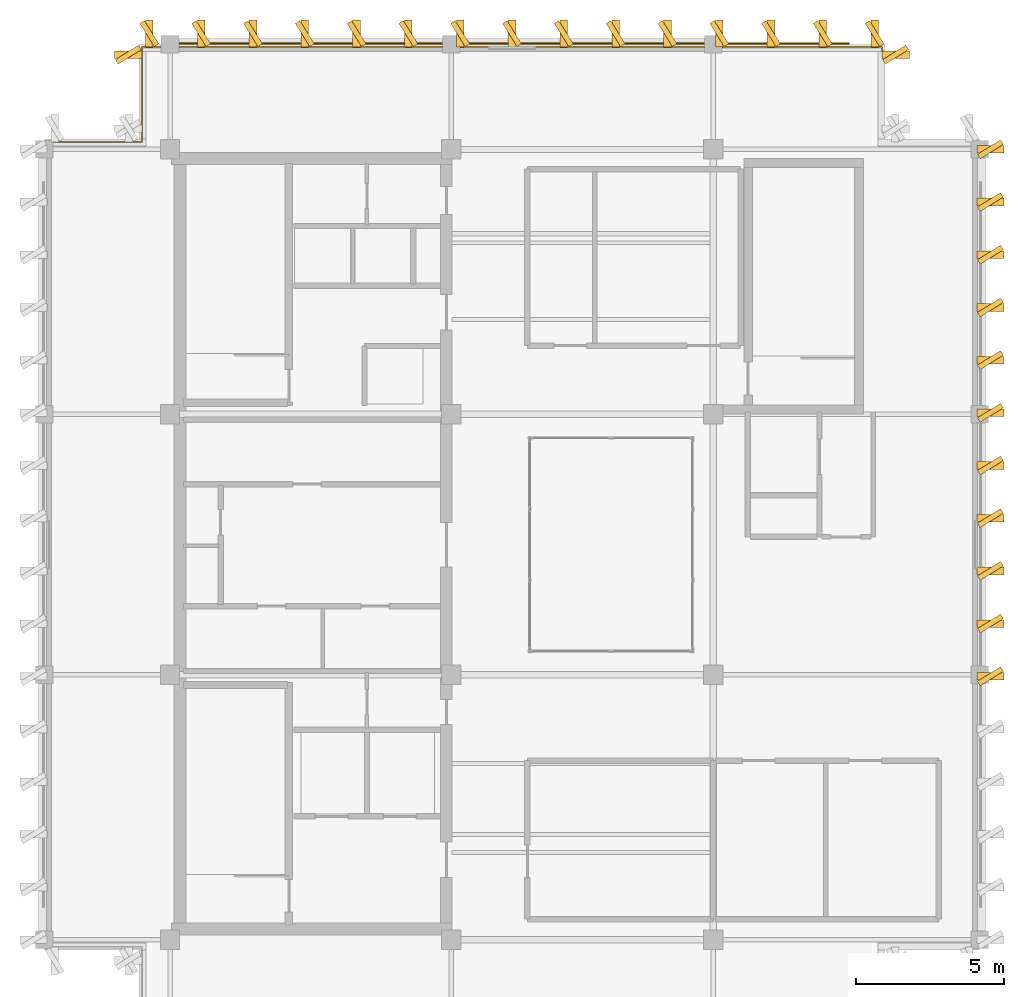
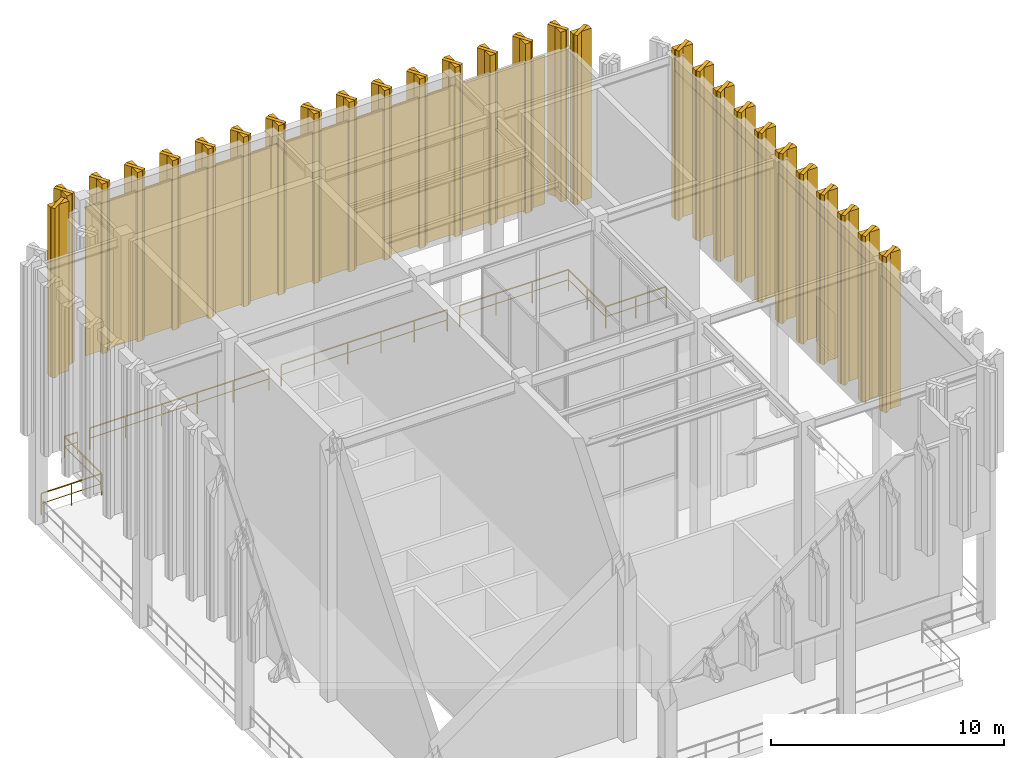
# One storey, part 15 of 15: 29 coverings, 28 shading devices, 4 railings.
"""IFC4 building model written with IfcOpenShell, lengths in metres."""

from ifc_helpers import new_model, si_unit, direction, frame, origin, origin_2d, place, context, subcontext, project, spatial, polyline, rectangle, outline, extrude, material, layer, layer_set, type_object, element, save


model = new_model("IFC4")

# Units and contexts
model_context = context("Model", 3, precision=1e-05, world=origin(), true_north=direction((0.0, 1.0)))
body_context = subcontext(model_context, "Body", "Model", "MODEL_VIEW")
ifc_project = project(units=[si_unit("LENGTHUNIT", "METRE"), si_unit("AREAUNIT", "SQUARE_METRE"), si_unit("VOLUMEUNIT", "CUBIC_METRE"), si_unit("PLANEANGLEUNIT", "RADIAN"), si_unit("MASSUNIT", "GRAM", prefix="KILO")], contexts=[model_context])

# Site, building, storey
site_placement = place(None, origin())
site = spatial("IfcSite", under=ifc_project, at=site_placement, CompositionType="ELEMENT")
building_placement = place(site_placement, origin())
building = spatial("IfcBuilding", under=site, at=building_placement, Name="Kundavana Baori Tower", CompositionType="ELEMENT")
storey_placement = place(building_placement, frame((0.0, 0.0, 354.699951171875)))
storey = spatial("IfcBuildingStorey", under=building, at=storey_placement, Name="L88", CompositionType="ELEMENT", Elevation=354.699951171875)

# Coverings
ifc_material_1 = material(Name="Red-Buff Dholpur Sandstone Cladding on Concrete C40/50", Category="masonry")
ifc_layer_1 = layer(ifc_material_1, 0.050048828125, Name="COV-EXT-CLAD")
ifc_layer_set_1 = layer_set([ifc_layer_1], Name="Red-Buff Dholpur Sandstone Cladding on Concrete C40/50")
covering_type_1 = type_object("IfcCoveringType", Name="COV-EXT-CLAD", PredefinedType="CLADDING", material=ifc_layer_set_1)
covering_1_placement = place(storey_placement, frame((0.0, 0.0, 4.900146484375)))
element("IfcCovering", 1, at=covering_1_placement, inside=storey, type_object=covering_type_1, Name="L88 Crown Carved Dholpur Stone Cladding 07", PredefinedType="CLADDING", context=body_context, shape_type="SweptSolid", body=[
    extrude(outline(polyline([(15.60009765625, 45.5), (38.39990234375, 45.5), (38.39990234375, 45.550048828125), (15.60009765625, 45.550048828125), (15.60009765625, 45.5)])), origin(), (0.0, 0.0, 1.0), 7.7998046875),
])
ifc_material_2 = material(Name="Cream-White Makrana Limestone on Concrete C40/50", Category="masonry")
ifc_layer_2 = layer(ifc_material_2, 0.239990234375, Name="COV-SAIL-FIN")
ifc_layer_set_2 = layer_set([ifc_layer_2], Name="Cream-White Makrana Limestone on Concrete C40/50")
covering_type_2 = type_object("IfcCoveringType", Name="COV-SAIL-FIN", PredefinedType="CLADDING", material=ifc_layer_set_2)
covering_2_placement = place(storey_placement, frame((0.0, 0.0, 5.5185546875)))
element("IfcCovering", 2, at=covering_2_placement, inside=storey, type_object=covering_type_2, Name="L88 Climbing Makrana White Limestone Sail Fin 025", PredefinedType="CLADDING", context=body_context, shape_type="SweptSolid", body=[
    extrude(outline(polyline([(42.699951171875, 24.02001953125), (43.6201171875, 24.02001953125), (43.6201171875, 24.280029296875), (42.699951171875, 24.280029296875), (42.699951171875, 24.02001953125)])), origin(), (0.0, 0.0, 1.0), 8.181396484375),
])
covering_3_placement = place(storey_placement, frame((0.0, 0.0, 4.967529296875)))
element("IfcCovering", 3, at=covering_3_placement, inside=storey, type_object=covering_type_2, Name="L88 Climbing Makrana White Limestone Sail Fin 026", PredefinedType="CLADDING", context=body_context, shape_type="SweptSolid", body=[
    extrude(outline(polyline([(42.699951171875, 25.800048828125), (43.6201171875, 25.800048828125), (43.6201171875, 26.06005859375), (42.699951171875, 26.06005859375), (42.699951171875, 25.800048828125)])), origin(), (0.0, 0.0, 1.0), 8.732421875),
])
covering_4_placement = place(storey_placement, frame((0.0, 0.0, 4.800048828125)))
element("IfcCovering", 4, at=covering_4_placement, inside=storey, type_object=covering_type_2, Name="L88 Climbing Makrana White Limestone Sail Fin 027", PredefinedType="CLADDING", context=body_context, shape_type="SweptSolid", body=[
    extrude(outline(polyline([(42.699951171875, 27.580078125), (43.6201171875, 27.580078125), (43.6201171875, 27.840087890625), (42.699951171875, 27.840087890625), (42.699951171875, 27.580078125)])), origin(), (0.0, 0.0, 1.0), 8.89990234375),
])
covering_5_placement = place(storey_placement, frame((0.0, 0.0, 4.800048828125)))
element("IfcCovering", 5, at=covering_5_placement, inside=storey, type_object=covering_type_2, Name="L88 Climbing Makrana White Limestone Sail Fin 028", PredefinedType="CLADDING", context=body_context, shape_type="SweptSolid", body=[
    extrude(outline(polyline([(42.699951171875, 29.360107421875), (43.6201171875, 29.360107421875), (43.6201171875, 29.6201171875), (42.699951171875, 29.6201171875), (42.699951171875, 29.360107421875)])), origin(), (0.0, 0.0, 1.0), 8.89990234375),
])
covering_6_placement = place(storey_placement, frame((0.0, 0.0, 4.800048828125)))
element("IfcCovering", 6, at=covering_6_placement, inside=storey, type_object=covering_type_2, Name="L88 Climbing Makrana White Limestone Sail Fin 029", PredefinedType="CLADDING", context=body_context, shape_type="SweptSolid", body=[
    extrude(outline(polyline([(42.699951171875, 31.139892578125), (43.6201171875, 31.139892578125), (43.6201171875, 31.39990234375), (42.699951171875, 31.39990234375), (42.699951171875, 31.139892578125)])), origin(), (0.0, 0.0, 1.0), 8.89990234375),
])
covering_7_placement = place(storey_placement, frame((0.0, 0.0, 4.800048828125)))
element("IfcCovering", 7, at=covering_7_placement, inside=storey, type_object=covering_type_2, Name="L88 Climbing Makrana White Limestone Sail Fin 030", PredefinedType="CLADDING", context=body_context, shape_type="SweptSolid", body=[
    extrude(outline(polyline([(42.699951171875, 32.919921875), (43.6201171875, 32.919921875), (43.6201171875, 33.179931640625), (42.699951171875, 33.179931640625), (42.699951171875, 32.919921875)])), origin(), (0.0, 0.0, 1.0), 8.89990234375),
])
covering_8_placement = place(storey_placement, frame((0.0, 0.0, 4.800048828125)))
element("IfcCovering", 8, at=covering_8_placement, inside=storey, type_object=covering_type_2, Name="L88 Climbing Makrana White Limestone Sail Fin 031", PredefinedType="CLADDING", context=body_context, shape_type="SweptSolid", body=[
    extrude(outline(polyline([(42.699951171875, 34.699951171875), (43.6201171875, 34.699951171875), (43.6201171875, 34.9599609375), (42.699951171875, 34.9599609375), (42.699951171875, 34.699951171875)])), origin(), (0.0, 0.0, 1.0), 8.89990234375),
])
covering_9_placement = place(storey_placement, frame((0.0, 0.0, 4.800048828125)))
element("IfcCovering", 9, at=covering_9_placement, inside=storey, type_object=covering_type_2, Name="L88 Climbing Makrana White Limestone Sail Fin 032", PredefinedType="CLADDING", context=body_context, shape_type="SweptSolid", body=[
    extrude(outline(polyline([(42.699951171875, 36.47998046875), (43.6201171875, 36.47998046875), (43.6201171875, 36.739990234375), (42.699951171875, 36.739990234375), (42.699951171875, 36.47998046875)])), origin(), (0.0, 0.0, 1.0), 8.89990234375),
])
covering_10_placement = place(storey_placement, frame((0.0, 0.0, 4.800048828125)))
element("IfcCovering", 10, at=covering_10_placement, inside=storey, type_object=covering_type_2, Name="L88 Climbing Makrana White Limestone Sail Fin 033", PredefinedType="CLADDING", context=body_context, shape_type="SweptSolid", body=[
    extrude(outline(polyline([(42.699951171875, 38.260009765625), (43.6201171875, 38.260009765625), (43.6201171875, 38.52001953125), (42.699951171875, 38.52001953125), (42.699951171875, 38.260009765625)])), origin(), (0.0, 0.0, 1.0), 8.89990234375),
])
covering_11_placement = place(storey_placement, frame((0.0, 0.0, 4.800048828125)))
element("IfcCovering", 11, at=covering_11_placement, inside=storey, type_object=covering_type_2, Name="L88 Climbing Makrana White Limestone Sail Fin 034", PredefinedType="CLADDING", context=body_context, shape_type="SweptSolid", body=[
    extrude(outline(polyline([(42.699951171875, 40.0400390625), (43.6201171875, 40.0400390625), (43.6201171875, 40.300048828125), (42.699951171875, 40.300048828125), (42.699951171875, 40.0400390625)])), origin(), (0.0, 0.0, 1.0), 8.89990234375),
])
covering_12_placement = place(storey_placement, frame((0.0, 0.0, 4.800048828125)))
element("IfcCovering", 12, at=covering_12_placement, inside=storey, type_object=covering_type_2, Name="L88 Climbing Makrana White Limestone Sail Fin 035", PredefinedType="CLADDING", context=body_context, shape_type="SweptSolid", body=[
    extrude(outline(polyline([(42.699951171875, 41.820068359375), (43.6201171875, 41.820068359375), (43.6201171875, 42.080078125), (42.699951171875, 42.080078125), (42.699951171875, 41.820068359375)])), origin(), (0.0, 0.0, 1.0), 8.89990234375),
])
covering_13_placement = place(storey_placement, frame((0.0, 0.0, 4.800048828125)))
element("IfcCovering", 13, at=covering_13_placement, inside=storey, type_object=covering_type_2, Name="L88 Climbing Makrana White Limestone Sail Fin 039", PredefinedType="CLADDING", context=body_context, shape_type="SweptSolid", body=[
    extrude(outline(polyline([(39.5, 45.02001953125), (40.419921875, 45.02001953125), (40.419921875, 45.280029296875), (39.5, 45.280029296875), (39.5, 45.02001953125)])), origin(), (0.0, 0.0, 1.0), 8.89990234375),
])
covering_14_placement = place(storey_placement, frame((0.0, 0.0, 4.800048828125)))
element("IfcCovering", 14, at=covering_14_placement, inside=storey, type_object=covering_type_2, Name="L88 Climbing Makrana White Limestone Sail Fin 040", PredefinedType="CLADDING", context=body_context, shape_type="SweptSolid", body=[
    extrude(outline(polyline([(39.1201171875, 45.39990234375), (39.3798828125, 45.39990234375), (39.3798828125, 46.320068359375), (39.1201171875, 46.320068359375), (39.1201171875, 45.39990234375)])), origin(), (0.0, 0.0, 1.0), 8.89990234375),
])
covering_15_placement = place(storey_placement, frame((0.0, 0.0, 4.800048828125)))
element("IfcCovering", 15, at=covering_15_placement, inside=storey, type_object=covering_type_2, Name="L88 Climbing Makrana White Limestone Sail Fin 041", PredefinedType="CLADDING", context=body_context, shape_type="SweptSolid", body=[
    extrude(outline(polyline([(37.3701171875, 45.39990234375), (37.6298828125, 45.39990234375), (37.6298828125, 46.320068359375), (37.3701171875, 46.320068359375), (37.3701171875, 45.39990234375)])), origin(), (0.0, 0.0, 1.0), 8.89990234375),
])
covering_16_placement = place(storey_placement, frame((0.0, 0.0, 4.800048828125)))
element("IfcCovering", 16, at=covering_16_placement, inside=storey, type_object=covering_type_2, Name="L88 Climbing Makrana White Limestone Sail Fin 042", PredefinedType="CLADDING", context=body_context, shape_type="SweptSolid", body=[
    extrude(outline(polyline([(35.6201171875, 45.39990234375), (35.8798828125, 45.39990234375), (35.8798828125, 46.320068359375), (35.6201171875, 46.320068359375), (35.6201171875, 45.39990234375)])), origin(), (0.0, 0.0, 1.0), 8.89990234375),
])
covering_17_placement = place(storey_placement, frame((0.0, 0.0, 4.800048828125)))
element("IfcCovering", 17, at=covering_17_placement, inside=storey, type_object=covering_type_2, Name="L88 Climbing Makrana White Limestone Sail Fin 043", PredefinedType="CLADDING", context=body_context, shape_type="SweptSolid", body=[
    extrude(outline(polyline([(33.8701171875, 45.39990234375), (34.1298828125, 45.39990234375), (34.1298828125, 46.320068359375), (33.8701171875, 46.320068359375), (33.8701171875, 45.39990234375)])), origin(), (0.0, 0.0, 1.0), 8.89990234375),
])
covering_18_placement = place(storey_placement, frame((0.0, 0.0, 4.800048828125)))
element("IfcCovering", 18, at=covering_18_placement, inside=storey, type_object=covering_type_2, Name="L88 Climbing Makrana White Limestone Sail Fin 044", PredefinedType="CLADDING", context=body_context, shape_type="SweptSolid", body=[
    extrude(outline(polyline([(32.1201171875, 45.39990234375), (32.3798828125, 45.39990234375), (32.3798828125, 46.320068359375), (32.1201171875, 46.320068359375), (32.1201171875, 45.39990234375)])), origin(), (0.0, 0.0, 1.0), 8.89990234375),
])
covering_19_placement = place(storey_placement, frame((0.0, 0.0, 4.800048828125)))
element("IfcCovering", 19, at=covering_19_placement, inside=storey, type_object=covering_type_2, Name="L88 Climbing Makrana White Limestone Sail Fin 045", PredefinedType="CLADDING", context=body_context, shape_type="SweptSolid", body=[
    extrude(outline(polyline([(30.3701171875, 45.39990234375), (30.6298828125, 45.39990234375), (30.6298828125, 46.320068359375), (30.3701171875, 46.320068359375), (30.3701171875, 45.39990234375)])), origin(), (0.0, 0.0, 1.0), 8.89990234375),
])
covering_20_placement = place(storey_placement, frame((0.0, 0.0, 4.800048828125)))
element("IfcCovering", 20, at=covering_20_placement, inside=storey, type_object=covering_type_2, Name="L88 Climbing Makrana White Limestone Sail Fin 046", PredefinedType="CLADDING", context=body_context, shape_type="SweptSolid", body=[
    extrude(outline(polyline([(28.6201171875, 45.39990234375), (28.8798828125, 45.39990234375), (28.8798828125, 46.320068359375), (28.6201171875, 46.320068359375), (28.6201171875, 45.39990234375)])), origin(), (0.0, 0.0, 1.0), 8.89990234375),
])
covering_21_placement = place(storey_placement, frame((0.0, 0.0, 4.800048828125)))
element("IfcCovering", 21, at=covering_21_placement, inside=storey, type_object=covering_type_2, Name="L88 Climbing Makrana White Limestone Sail Fin 047", PredefinedType="CLADDING", context=body_context, shape_type="SweptSolid", body=[
    extrude(outline(polyline([(26.8701171875, 45.39990234375), (27.1298828125, 45.39990234375), (27.1298828125, 46.320068359375), (26.8701171875, 46.320068359375), (26.8701171875, 45.39990234375)])), origin(), (0.0, 0.0, 1.0), 8.89990234375),
])
covering_22_placement = place(storey_placement, frame((0.0, 0.0, 4.800048828125)))
element("IfcCovering", 22, at=covering_22_placement, inside=storey, type_object=covering_type_2, Name="L88 Climbing Makrana White Limestone Sail Fin 048", PredefinedType="CLADDING", context=body_context, shape_type="SweptSolid", body=[
    extrude(outline(polyline([(25.1201171875, 45.39990234375), (25.3798828125, 45.39990234375), (25.3798828125, 46.320068359375), (25.1201171875, 46.320068359375), (25.1201171875, 45.39990234375)])), origin(), (0.0, 0.0, 1.0), 8.89990234375),
])
covering_23_placement = place(storey_placement, frame((0.0, 0.0, 4.800048828125)))
element("IfcCovering", 23, at=covering_23_placement, inside=storey, type_object=covering_type_2, Name="L88 Climbing Makrana White Limestone Sail Fin 049", PredefinedType="CLADDING", context=body_context, shape_type="SweptSolid", body=[
    extrude(outline(polyline([(23.3701171875, 45.39990234375), (23.6298828125, 45.39990234375), (23.6298828125, 46.320068359375), (23.3701171875, 46.320068359375), (23.3701171875, 45.39990234375)])), origin(), (0.0, 0.0, 1.0), 8.89990234375),
])
covering_24_placement = place(storey_placement, frame((0.0, 0.0, 4.800048828125)))
element("IfcCovering", 24, at=covering_24_placement, inside=storey, type_object=covering_type_2, Name="L88 Climbing Makrana White Limestone Sail Fin 050", PredefinedType="CLADDING", context=body_context, shape_type="SweptSolid", body=[
    extrude(outline(polyline([(21.6201171875, 45.39990234375), (21.8798828125, 45.39990234375), (21.8798828125, 46.320068359375), (21.6201171875, 46.320068359375), (21.6201171875, 45.39990234375)])), origin(), (0.0, 0.0, 1.0), 8.89990234375),
])
covering_25_placement = place(storey_placement, frame((0.0, 0.0, 4.800048828125)))
element("IfcCovering", 25, at=covering_25_placement, inside=storey, type_object=covering_type_2, Name="L88 Climbing Makrana White Limestone Sail Fin 051", PredefinedType="CLADDING", context=body_context, shape_type="SweptSolid", body=[
    extrude(outline(polyline([(19.8701171875, 45.39990234375), (20.1298828125, 45.39990234375), (20.1298828125, 46.320068359375), (19.8701171875, 46.320068359375), (19.8701171875, 45.39990234375)])), origin(), (0.0, 0.0, 1.0), 8.89990234375),
])
covering_26_placement = place(storey_placement, frame((0.0, 0.0, 4.800048828125)))
element("IfcCovering", 26, at=covering_26_placement, inside=storey, type_object=covering_type_2, Name="L88 Climbing Makrana White Limestone Sail Fin 052", PredefinedType="CLADDING", context=body_context, shape_type="SweptSolid", body=[
    extrude(outline(polyline([(18.1201171875, 45.39990234375), (18.3798828125, 45.39990234375), (18.3798828125, 46.320068359375), (18.1201171875, 46.320068359375), (18.1201171875, 45.39990234375)])), origin(), (0.0, 0.0, 1.0), 8.89990234375),
])
covering_27_placement = place(storey_placement, frame((0.0, 0.0, 4.800048828125)))
element("IfcCovering", 27, at=covering_27_placement, inside=storey, type_object=covering_type_2, Name="L88 Climbing Makrana White Limestone Sail Fin 053", PredefinedType="CLADDING", context=body_context, shape_type="SweptSolid", body=[
    extrude(outline(polyline([(16.3701171875, 45.39990234375), (16.6298828125, 45.39990234375), (16.6298828125, 46.320068359375), (16.3701171875, 46.320068359375), (16.3701171875, 45.39990234375)])), origin(), (0.0, 0.0, 1.0), 8.89990234375),
])
covering_28_placement = place(storey_placement, frame((0.0, 0.0, 4.800048828125)))
element("IfcCovering", 28, at=covering_28_placement, inside=storey, type_object=covering_type_2, Name="L88 Climbing Makrana White Limestone Sail Fin 054", PredefinedType="CLADDING", context=body_context, shape_type="SweptSolid", body=[
    extrude(outline(polyline([(14.6201171875, 45.39990234375), (14.8798828125, 45.39990234375), (14.8798828125, 46.320068359375), (14.6201171875, 46.320068359375), (14.6201171875, 45.39990234375)])), origin(), (0.0, 0.0, 1.0), 8.89990234375),
])
covering_29_placement = place(storey_placement, frame((0.0, 0.0, 4.800048828125)))
element("IfcCovering", 29, at=covering_29_placement, inside=storey, type_object=covering_type_2, Name="L88 Climbing Makrana White Limestone Sail Fin 055", PredefinedType="CLADDING", context=body_context, shape_type="SweptSolid", body=[
    extrude(outline(polyline([(13.580078125, 45.02001953125), (14.5, 45.02001953125), (14.5, 45.280029296875), (13.580078125, 45.280029296875), (13.580078125, 45.02001953125)])), origin(), (0.0, 0.0, 1.0), 8.89990234375),
])

# Railings
ifc_material_3 = material(Name="Architectural Patinated Bronze Metalwork")
railing_type = type_object("IfcRailingType", Name="RL-BAL-1150", PredefinedType="BALUSTRADE", material=ifc_material_3)
railing_1_placement = place(storey_placement, frame((11.5048828125, 42.199951171875, 0.0)))
element("IfcRailing", 30, at=railing_1_placement, inside=storey, type_object=railing_type, Name="L88 Mechanical Floor Perimeter Guard Rail 05", PredefinedType="BALUSTRADE", context=body_context, shape_type="SweptSolid", body=[
    extrude(rectangle(XDim=0.048095703125, YDim=0.048095703125, at=origin_2d()), frame((0.0, 0.0, 1.1259765625), z_axis=(1.0, 0.0, 0.0), x_axis=(0.0, 1.0, 0.0)), (0.0, 0.0, 1.0), 2.9951171875),
    extrude(rectangle(XDim=0.03125, YDim=0.03125, at=origin_2d()), frame((0.0, 0.0, 0.597900390625), z_axis=(1.0, 0.0, 0.0), x_axis=(0.0, 1.0, 0.0)), (0.0, 0.0, 1.0), 2.9951171875),
    extrude(rectangle(XDim=0.048095703125, YDim=0.048095703125, at=origin_2d()), frame((2.9951171875, 0.0, 1.1259765625), z_axis=(0.0, 1.0, 0.0), x_axis=(-1.0, 0.0, 0.0)), (0.0, 0.0, 1.0), 3.199951171875),
    extrude(rectangle(XDim=0.03125, YDim=0.03125, at=origin_2d()), frame((2.9951171875, 0.0, 0.597900390625), z_axis=(0.0, 1.0, 0.0), x_axis=(-1.0, 0.0, 0.0)), (0.0, 0.0, 1.0), 3.199951171875),
    extrude(rectangle(XDim=0.048095703125, YDim=0.048095703125, at=origin_2d()), frame((2.9951171875, 3.199951171875, 1.1259765625), z_axis=(1.0, 0.0, 0.0), x_axis=(0.0, 1.0, 0.0)), (0.0, 0.0, 1.0), 0.64501953125),
    extrude(rectangle(XDim=0.03125, YDim=0.03125, at=origin_2d()), frame((2.9951171875, 3.199951171875, 0.597900390625), z_axis=(1.0, 0.0, 0.0), x_axis=(0.0, 1.0, 0.0)), (0.0, 0.0, 1.0), 0.64501953125),
    extrude(rectangle(XDim=0.0419921875, YDim=0.0419921875, at=origin_2d()), origin(), (0.0, 0.0, 1.0), 1.101806640625),
    extrude(rectangle(XDim=0.0419921875, YDim=0.0419921875, at=origin_2d()), frame((1.49755859375, 0.0, 0.0)), (0.0, 0.0, 1.0), 1.101806640625),
    extrude(rectangle(XDim=0.0419921875, YDim=0.0419921875, at=origin_2d()), frame((2.9951171875, 0.0, 0.0)), (0.0, 0.0, 1.0), 1.101806640625),
    extrude(rectangle(XDim=0.0419921875, YDim=0.0419921875, at=origin_2d()), frame((2.9951171875, 1.60009765625, 0.0)), (0.0, 0.0, 1.0), 1.101806640625),
    extrude(rectangle(XDim=0.0419921875, YDim=0.0419921875, at=origin_2d()), frame((2.9951171875, 3.199951171875, 0.0)), (0.0, 0.0, 1.0), 1.101806640625),
    extrude(rectangle(XDim=0.0419921875, YDim=0.0419921875, at=origin_2d()), frame((3.64013671875, 3.199951171875, 0.0)), (0.0, 0.0, 1.0), 1.101806640625),
])
railing_2_placement = place(storey_placement, frame((15.7548828125, 45.39990234375, 0.0)))
element("IfcRailing", 31, at=railing_2_placement, inside=storey, type_object=railing_type, Name="L88 Mechanical Floor Perimeter Guard Rail 06", PredefinedType="BALUSTRADE", context=body_context, shape_type="SweptSolid", body=[
    extrude(rectangle(XDim=0.048095703125, YDim=0.048095703125, at=origin_2d()), frame((0.0, 0.0, 1.1259765625), z_axis=(1.0, 0.0, 0.0), x_axis=(0.0, 1.0, 0.0)), (0.0, 0.0, 1.0), 8.89013671875),
    extrude(rectangle(XDim=0.03125, YDim=0.03125, at=origin_2d()), frame((0.0, 0.0, 0.597900390625), z_axis=(1.0, 0.0, 0.0), x_axis=(0.0, 1.0, 0.0)), (0.0, 0.0, 1.0), 8.89013671875),
    extrude(rectangle(XDim=0.0419921875, YDim=0.0419921875, at=origin_2d()), origin(), (0.0, 0.0, 1.0), 1.101806640625),
    extrude(rectangle(XDim=0.0419921875, YDim=0.0419921875, at=origin_2d()), frame((1.778076171875, 0.0, 0.0)), (0.0, 0.0, 1.0), 1.101806640625),
    extrude(rectangle(XDim=0.0419921875, YDim=0.0419921875, at=origin_2d()), frame((3.55615234375, 0.0, 0.0)), (0.0, 0.0, 1.0), 1.101806640625),
    extrude(rectangle(XDim=0.0419921875, YDim=0.0419921875, at=origin_2d()), frame((5.333984375, 0.0, 0.0)), (0.0, 0.0, 1.0), 1.101806640625),
    extrude(rectangle(XDim=0.0419921875, YDim=0.0419921875, at=origin_2d()), frame((7.112060546875, 0.0, 0.0)), (0.0, 0.0, 1.0), 1.101806640625),
    extrude(rectangle(XDim=0.0419921875, YDim=0.0419921875, at=origin_2d()), frame((8.89013671875, 0.0, 0.0)), (0.0, 0.0, 1.0), 1.101806640625),
])
railing_3_placement = place(storey_placement, frame((25.2548828125, 45.39990234375, 0.0)))
element("IfcRailing", 32, at=railing_3_placement, inside=storey, type_object=railing_type, Name="L88 Mechanical Floor Perimeter Guard Rail 07", PredefinedType="BALUSTRADE", context=body_context, shape_type="SweptSolid", body=[
    extrude(rectangle(XDim=0.048095703125, YDim=0.048095703125, at=origin_2d()), frame((0.0, 0.0, 1.1259765625), z_axis=(1.0, 0.0, 0.0), x_axis=(0.0, 1.0, 0.0)), (0.0, 0.0, 1.0), 8.240234375),
    extrude(rectangle(XDim=0.03125, YDim=0.03125, at=origin_2d()), frame((0.0, 0.0, 0.597900390625), z_axis=(1.0, 0.0, 0.0), x_axis=(0.0, 1.0, 0.0)), (0.0, 0.0, 1.0), 8.240234375),
    extrude(rectangle(XDim=0.0419921875, YDim=0.0419921875, at=origin_2d()), origin(), (0.0, 0.0, 1.0), 1.101806640625),
    extrude(rectangle(XDim=0.0419921875, YDim=0.0419921875, at=origin_2d()), frame((1.64794921875, 0.0, 0.0)), (0.0, 0.0, 1.0), 1.101806640625),
    extrude(rectangle(XDim=0.0419921875, YDim=0.0419921875, at=origin_2d()), frame((3.296142578125, 0.0, 0.0)), (0.0, 0.0, 1.0), 1.101806640625),
    extrude(rectangle(XDim=0.0419921875, YDim=0.0419921875, at=origin_2d()), frame((4.944091796875, 0.0, 0.0)), (0.0, 0.0, 1.0), 1.101806640625),
    extrude(rectangle(XDim=0.0419921875, YDim=0.0419921875, at=origin_2d()), frame((6.59228515625, 0.0, 0.0)), (0.0, 0.0, 1.0), 1.101806640625),
    extrude(rectangle(XDim=0.0419921875, YDim=0.0419921875, at=origin_2d()), frame((8.240234375, 0.0, 0.0)), (0.0, 0.0, 1.0), 1.101806640625),
])
railing_4_placement = place(storey_placement, frame((34.10498046875, 45.39990234375, 0.0)))
element("IfcRailing", 33, at=railing_4_placement, inside=storey, type_object=railing_type, Name="L88 Mechanical Floor Perimeter Guard Rail 08", PredefinedType="BALUSTRADE", context=body_context, shape_type="SweptSolid", body=[
    extrude(rectangle(XDim=0.048095703125, YDim=0.048095703125, at=origin_2d()), frame((0.0, 0.0, 1.1259765625), z_axis=(1.0, 0.0, 0.0), x_axis=(0.0, 1.0, 0.0)), (0.0, 0.0, 1.0), 5.39501953125),
    extrude(rectangle(XDim=0.03125, YDim=0.03125, at=origin_2d()), frame((0.0, 0.0, 0.597900390625), z_axis=(1.0, 0.0, 0.0), x_axis=(0.0, 1.0, 0.0)), (0.0, 0.0, 1.0), 5.39501953125),
    extrude(rectangle(XDim=0.048095703125, YDim=0.048095703125, at=origin_2d()), frame((5.39501953125, 0.0, 1.1259765625), z_axis=(0.0, -1.0, 0.0), x_axis=(1.0, 0.0, 0.0)), (0.0, 0.0, 1.0), 3.199951171875),
    extrude(rectangle(XDim=0.03125, YDim=0.03125, at=origin_2d()), frame((5.39501953125, 0.0, 0.597900390625), z_axis=(0.0, -1.0, 0.0), x_axis=(1.0, 0.0, 0.0)), (0.0, 0.0, 1.0), 3.199951171875),
    extrude(rectangle(XDim=0.048095703125, YDim=0.048095703125, at=origin_2d()), frame((5.39501953125, -3.199951171875, 1.1259765625), z_axis=(1.0, 0.0, 0.0), x_axis=(0.0, 1.0, 0.0)), (0.0, 0.0, 1.0), 2.9951171875),
    extrude(rectangle(XDim=0.03125, YDim=0.03125, at=origin_2d()), frame((5.39501953125, -3.199951171875, 0.597900390625), z_axis=(1.0, 0.0, 0.0), x_axis=(0.0, 1.0, 0.0)), (0.0, 0.0, 1.0), 2.9951171875),
    extrude(rectangle(XDim=0.0419921875, YDim=0.0419921875, at=origin_2d()), origin(), (0.0, 0.0, 1.0), 1.101806640625),
    extrude(rectangle(XDim=0.0419921875, YDim=0.0419921875, at=origin_2d()), frame((1.79833984375, 0.0, 0.0)), (0.0, 0.0, 1.0), 1.101806640625),
    extrude(rectangle(XDim=0.0419921875, YDim=0.0419921875, at=origin_2d()), frame((3.5966796875, 0.0, 0.0)), (0.0, 0.0, 1.0), 1.101806640625),
    extrude(rectangle(XDim=0.0419921875, YDim=0.0419921875, at=origin_2d()), frame((5.39501953125, 0.0, 0.0)), (0.0, 0.0, 1.0), 1.101806640625),
    extrude(rectangle(XDim=0.0419921875, YDim=0.0419921875, at=origin_2d()), frame((5.39501953125, -1.60009765625, 0.0)), (0.0, 0.0, 1.0), 1.101806640625),
    extrude(rectangle(XDim=0.0419921875, YDim=0.0419921875, at=origin_2d()), frame((5.39501953125, -3.199951171875, 0.0)), (0.0, 0.0, 1.0), 1.101806640625),
    extrude(rectangle(XDim=0.0419921875, YDim=0.0419921875, at=origin_2d()), frame((6.892578125, -3.199951171875, 0.0)), (0.0, 0.0, 1.0), 1.101806640625),
    extrude(rectangle(XDim=0.0419921875, YDim=0.0419921875, at=origin_2d()), frame((8.39013671875, -3.199951171875, 0.0)), (0.0, 0.0, 1.0), 1.101806640625),
])

# Shading devices
ifc_material_4 = material(Name="Red-Buff Dholpur Sandstone Cladding on Concrete C40/50", Category="masonry")
shading_device_type = type_object("IfcShadingDeviceType", Name="SHD-FIN-920", PredefinedType="JALOUSIE", material=ifc_material_4)
shading_device_1_placement = place(storey_placement, frame((43.159912109375, 24.14990234375, 5.5185546875), z_axis=(0.0, 0.0, 1.0), x_axis=(-0.529919264233, 0.848048096156, 0.0)))
element("IfcShadingDevice", 34, at=shading_device_1_placement, inside=storey, type_object=shading_device_type, Name="L88 Sweeping Makrana Limestone Crown Sail Blade 025", PredefinedType="JALOUSIE", context=body_context, shape_type="SweptSolid", body=[
    extrude(rectangle(XDim=0.179931640625, YDim=0.919921875, at=origin_2d()), origin(), (0.0, 0.0, 1.0), 8.181396484375),
])
shading_device_2_placement = place(storey_placement, frame((43.159912109375, 25.929931640625, 4.967529296875), z_axis=(0.0, 0.0, 1.0), x_axis=(-0.529919264233, 0.848048096156, 0.0)))
element("IfcShadingDevice", 35, at=shading_device_2_placement, inside=storey, type_object=shading_device_type, Name="L88 Sweeping Makrana Limestone Crown Sail Blade 026", PredefinedType="JALOUSIE", context=body_context, shape_type="SweptSolid", body=[
    extrude(rectangle(XDim=0.179931640625, YDim=0.919921875, at=origin_2d()), origin(), (0.0, 0.0, 1.0), 8.732421875),
])
for number, where, z_axis, x_axis, name in (
    (36, (43.159912109375, 27.7099609375, 4.800048828125), (0.0, 0.0, 1.0), (-0.529919264233, 0.848048096156, 0.0), "L88 Sweeping Makrana Limestone Crown Sail Blade 027"),
    (37, (43.159912109375, 29.489990234375, 4.800048828125), (0.0, 0.0, 1.0), (-0.529919264233, 0.848048096156, 0.0), "L88 Sweeping Makrana Limestone Crown Sail Blade 028"),
    (38, (43.159912109375, 31.27001953125, 4.800048828125), (0.0, 0.0, 1.0), (-0.529919264233, 0.848048096156, 0.0), "L88 Sweeping Makrana Limestone Crown Sail Blade 029"),
    (39, (43.159912109375, 33.050048828125, 4.800048828125), (0.0, 0.0, 1.0), (-0.529919264233, 0.848048096156, 0.0), "L88 Sweeping Makrana Limestone Crown Sail Blade 030"),
    (40, (43.159912109375, 34.830078125, 4.800048828125), (0.0, 0.0, 1.0), (-0.529919264233, 0.848048096156, 0.0), "L88 Sweeping Makrana Limestone Crown Sail Blade 031"),
    (41, (43.159912109375, 36.610107421875, 4.800048828125), (0.0, 0.0, 1.0), (-0.529919264233, 0.848048096156, 0.0), "L88 Sweeping Makrana Limestone Crown Sail Blade 032"),
    (42, (43.159912109375, 38.389892578125, 4.800048828125), (0.0, 0.0, 1.0), (-0.529919264233, 0.848048096156, 0.0), "L88 Sweeping Makrana Limestone Crown Sail Blade 033"),
    (43, (43.159912109375, 40.169921875, 4.800048828125), (0.0, 0.0, 1.0), (-0.529919264233, 0.848048096156, 0.0), "L88 Sweeping Makrana Limestone Crown Sail Blade 034"),
    (44, (43.159912109375, 41.949951171875, 4.800048828125), (0.0, 0.0, 1.0), (-0.529919264233, 0.848048096156, 0.0), "L88 Sweeping Makrana Limestone Crown Sail Blade 035"),
    (45, (39.9599609375, 45.14990234375, 4.800048828125), (0.0, 0.0, 1.0), (-0.529919264233, 0.848048096156, 0.0), "L88 Sweeping Makrana Limestone Crown Sail Blade 039"),
    (46, (39.25, 45.860107421875, 4.800048828125), (0.0, 0.0, 1.0), (0.848048096156, 0.529919264233, 0.0), "L88 Sweeping Makrana Limestone Crown Sail Blade 040"),
    (47, (37.5, 45.860107421875, 4.800048828125), (0.0, 0.0, 1.0), (0.848048096156, 0.529919264233, 0.0), "L88 Sweeping Makrana Limestone Crown Sail Blade 041"),
    (48, (35.75, 45.860107421875, 4.800048828125), (0.0, 0.0, 1.0), (0.848048096156, 0.529919264233, 0.0), "L88 Sweeping Makrana Limestone Crown Sail Blade 042"),
    (49, (34.0, 45.860107421875, 4.800048828125), (0.0, 0.0, 1.0), (0.848048096156, 0.529919264233, 0.0), "L88 Sweeping Makrana Limestone Crown Sail Blade 043"),
    (50, (32.25, 45.860107421875, 4.800048828125), (0.0, 0.0, 1.0), (0.848048096156, 0.529919264233, 0.0), "L88 Sweeping Makrana Limestone Crown Sail Blade 044"),
    (51, (30.5, 45.860107421875, 4.800048828125), (0.0, 0.0, 1.0), (0.848048096156, 0.529919264233, 0.0), "L88 Sweeping Makrana Limestone Crown Sail Blade 045"),
    (52, (28.75, 45.860107421875, 4.800048828125), (0.0, 0.0, 1.0), (0.848048096156, 0.529919264233, 0.0), "L88 Sweeping Makrana Limestone Crown Sail Blade 046"),
    (53, (27.0, 45.860107421875, 4.800048828125), (0.0, 0.0, 1.0), (0.848048096156, 0.529919264233, 0.0), "L88 Sweeping Makrana Limestone Crown Sail Blade 047"),
    (54, (25.25, 45.860107421875, 4.800048828125), (0.0, 0.0, 1.0), (0.848048096156, 0.529919264233, 0.0), "L88 Sweeping Makrana Limestone Crown Sail Blade 048"),
    (55, (23.5, 45.860107421875, 4.800048828125), (0.0, 0.0, 1.0), (0.848048096156, 0.529919264233, 0.0), "L88 Sweeping Makrana Limestone Crown Sail Blade 049"),
    (56, (21.75, 45.860107421875, 4.800048828125), (0.0, 0.0, 1.0), (0.848048096156, 0.529919264233, 0.0), "L88 Sweeping Makrana Limestone Crown Sail Blade 050"),
    (57, (20.0, 45.860107421875, 4.800048828125), (0.0, 0.0, 1.0), (0.848048096156, 0.529919264233, 0.0), "L88 Sweeping Makrana Limestone Crown Sail Blade 051"),
    (58, (18.25, 45.860107421875, 4.800048828125), (0.0, 0.0, 1.0), (0.848048096156, 0.529919264233, 0.0), "L88 Sweeping Makrana Limestone Crown Sail Blade 052"),
    (59, (16.5, 45.860107421875, 4.800048828125), (0.0, 0.0, 1.0), (0.848048096156, 0.529919264233, 0.0), "L88 Sweeping Makrana Limestone Crown Sail Blade 053"),
    (60, (14.75, 45.860107421875, 4.800048828125), (0.0, 0.0, 1.0), (0.848048096156, 0.529919264233, 0.0), "L88 Sweeping Makrana Limestone Crown Sail Blade 054"),
    (61, (14.0400390625, 45.14990234375, 4.800048828125), (0.0, 0.0, 1.0), (-0.529919264233, 0.848048096156, 0.0), "L88 Sweeping Makrana Limestone Crown Sail Blade 055"),
):
    element("IfcShadingDevice", number, at=place(storey_placement, frame(where, z_axis=z_axis, x_axis=x_axis)), inside=storey, type_object=shading_device_type, Name=name, PredefinedType="JALOUSIE", context=body_context, shape_type="SweptSolid", body=[
        extrude(rectangle(XDim=0.179931640625, YDim=0.919921875, at=origin_2d()), origin(), (0.0, 0.0, 1.0), 8.89990234375),
    ])

save(model, "model.ifc")
